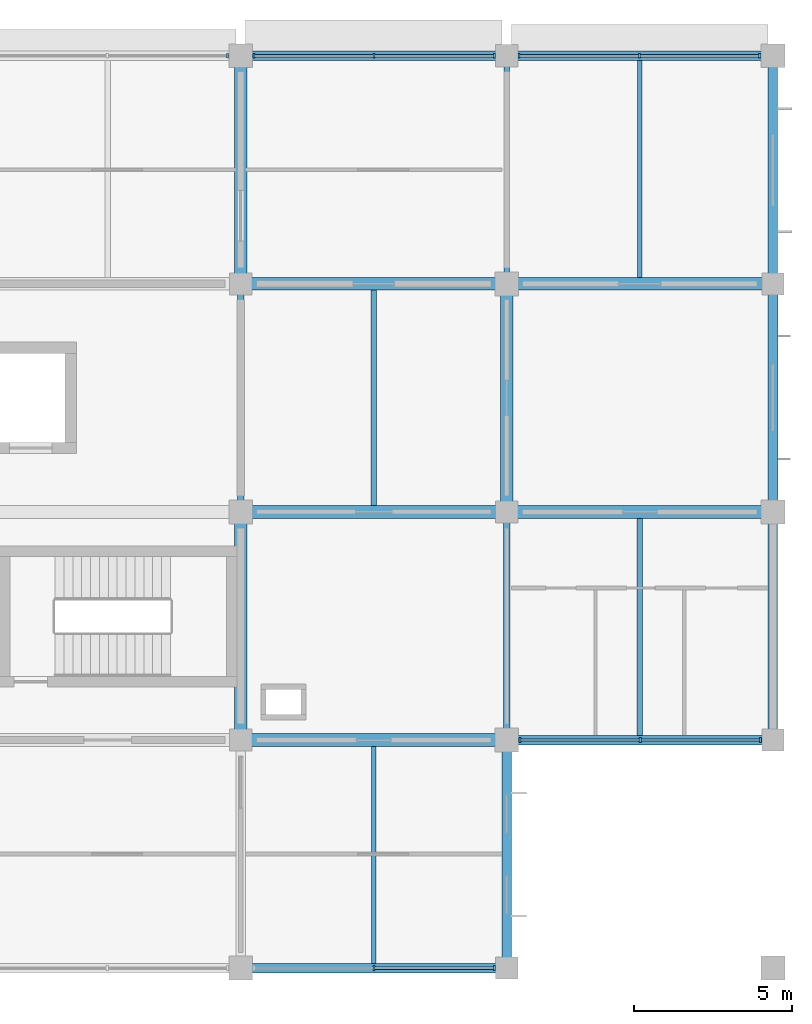
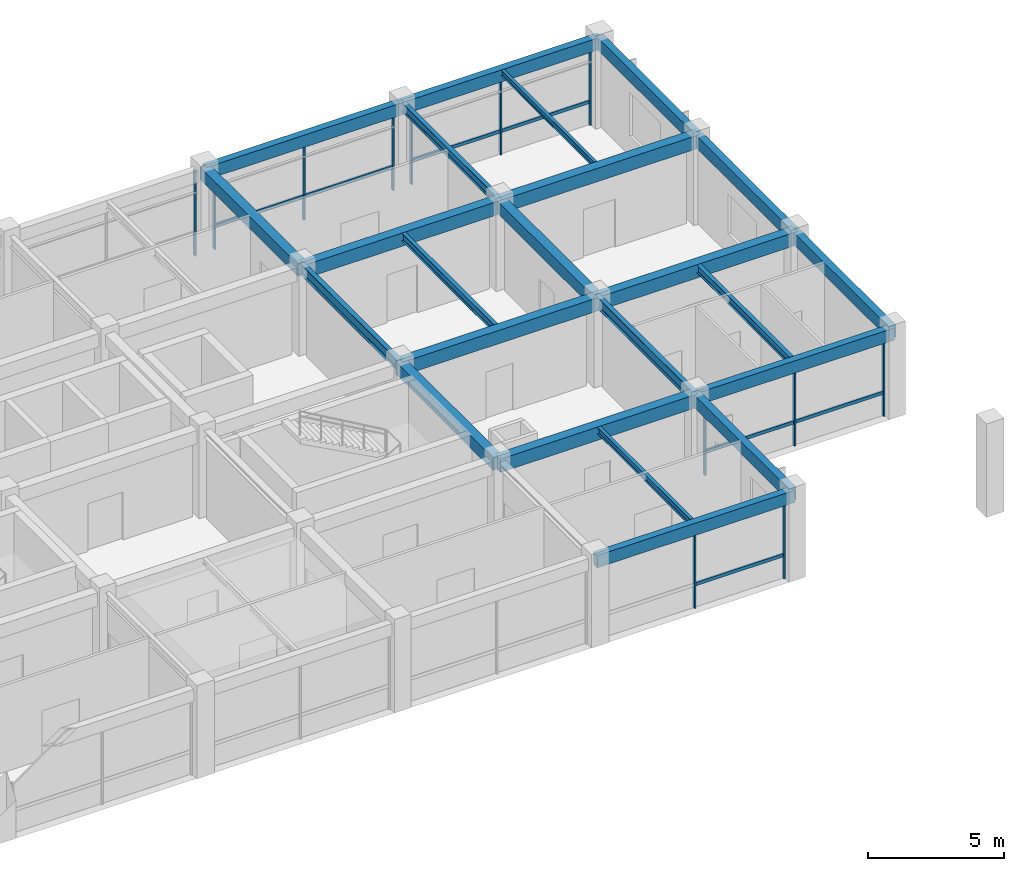
# One storey, part 6 of 13: 23 beams, 19 members, 5 elements without a shape of their own.
"""IFC4 building model written with IfcOpenShell, lengths in metres."""

from ifc_helpers import new_model, si_unit, derived_unit, direction, frame, origin, origin_2d, place, context, subcontext, project, spatial, rectangle, i_section, extrude, material, material_profile, profile_set, type_object, element, aggregate, save


model = new_model("IFC4")

# Units and contexts
model_context = context("Model", 3, precision=1e-05, world=origin(), true_north=direction((0.0, 1.0)))
body_context = subcontext(model_context, "Body", "Model", "MODEL_VIEW")
ifc_project = project(units=[si_unit("LENGTHUNIT", "METRE"), si_unit("AREAUNIT", "SQUARE_METRE"), si_unit("VOLUMEUNIT", "CUBIC_METRE"), si_unit("PLANEANGLEUNIT", "RADIAN"), si_unit("MASSUNIT", "GRAM", prefix="KILO"), derived_unit("THERMALTRANSMITTANCEUNIT", [(si_unit("MASSUNIT", "GRAM", prefix="KILO"), 1), (si_unit("TIMEUNIT", "SECOND"), -3), (si_unit("THERMODYNAMICTEMPERATUREUNIT", "KELVIN"), -1)])], contexts=[model_context])

# Site, building, storey
site_placement = place(None, origin())
site = spatial("IfcSite", under=ifc_project, at=site_placement, CompositionType="ELEMENT")
building_placement = place(site_placement, origin())
building = spatial("IfcBuilding", under=site, at=building_placement, Name="Veldstrom Oceanarium and Marine Research Institute", CompositionType="ELEMENT")
storey_placement = place(building_placement, frame((0.0, 0.0, 39.60009765625)))
storey = spatial("IfcBuildingStorey", under=building, at=storey_placement, Name="L08", CompositionType="ELEMENT", Elevation=39.60009765625)

# Curtain wall, member
ifc_material_1 = material(Name="Anodised Aluminium Framing", Category="aluminium")
curtain_wall_type = type_object("IfcCurtainWallType", Name="ARC-CW-CW04", PredefinedType="USERDEFINED", material=ifc_material_1)
curtain_wall_1_placement = place(storey_placement, origin())
curtain_wall_1 = element("IfcCurtainWall", 1, at=curtain_wall_1_placement, inside=storey, type_object=curtain_wall_type, Name="Curtain Wall CW04 CW-L08-129", ObjectType="Curtain wall", PredefinedType="USERDEFINED")
ifc_material_2 = material(Name="Anodised Aluminium Framing", Category="aluminium")
ifc_material_profile_1 = material_profile(ifc_material_2, rectangle(XDim=0.06494140625, YDim=0.14990234375, at=origin_2d()), Name="ALU-MUL-65x150")
ifc_profile_set_1 = profile_set([ifc_material_profile_1], Name="Anodised Aluminium Framing")
member_type_1 = type_object("IfcMemberType", Name="ARC-MUL-ML2", PredefinedType="MULLION", material=ifc_profile_set_1)
member_1_placement = place(storey_placement, frame((100.385009765625, 72.0, 0.0), z_axis=(0.0, 0.0, 1.0), x_axis=(1.0, 0.0, 0.0)))
member_1 = element("IfcMember", 2, at=member_1_placement, type_object=member_type_1, Name="Curtain Wall Mullion CW-L08-129-MUL-3", PredefinedType="MULLION", context=body_context, shape_type="SweptSolid", body=[
    extrude(rectangle(XDim=0.06494140625, YDim=0.14990234375, at=origin_2d()), origin(), (0.0, 0.0, 1.0), 3.849853515625),
])
aggregate(curtain_wall_1, [member_1])

# Curtain wall, members
curtain_wall_2_placement = place(storey_placement, origin())
curtain_wall_2 = element("IfcCurtainWall", 3, at=curtain_wall_2_placement, inside=storey, type_object=curtain_wall_type, Name="Curtain Wall CW04 CW-L08-130", ObjectType="Curtain wall", PredefinedType="USERDEFINED")
member_2_placement = place(storey_placement, frame((105.012451171875, 43.199951171875, 0.0), z_axis=(0.0, 0.0, 1.0), x_axis=(1.0, 0.0, 0.0)))
member_2 = element("IfcMember", 4, at=member_2_placement, type_object=member_type_1, Name="Curtain Wall Mullion CW-L08-130-MUL-2", PredefinedType="MULLION", context=body_context, shape_type="SweptSolid", body=[
    extrude(rectangle(XDim=0.06494140625, YDim=0.14990234375, at=origin_2d()), origin(), (0.0, 0.0, 1.0), 3.849853515625),
])
member_3_placement = place(storey_placement, frame((108.81005859375, 43.199951171875, 0.0), z_axis=(0.0, 0.0, 1.0), x_axis=(1.0, 0.0, 0.0)))
member_3 = element("IfcMember", 5, at=member_3_placement, type_object=member_type_1, Name="Curtain Wall Mullion CW-L08-130-MUL-3", PredefinedType="MULLION", context=body_context, shape_type="SweptSolid", body=[
    extrude(rectangle(XDim=0.06494140625, YDim=0.14990234375, at=origin_2d()), origin(), (0.0, 0.0, 1.0), 3.849853515625),
])

curtain_wall_3_placement = place(storey_placement, origin())
curtain_wall_3 = element("IfcCurtainWall", 6, at=curtain_wall_3_placement, inside=storey, type_object=curtain_wall_type, Name="Curtain Wall CW04 CW-L08-131", ObjectType="Curtain wall", PredefinedType="USERDEFINED")
member_4_placement = place(storey_placement, frame((101.215087890625, 72.0, 0.0), z_axis=(0.0, 0.0, 1.0), x_axis=(1.0, 0.0, 0.0)))
member_4 = element("IfcMember", 7, at=member_4_placement, type_object=member_type_1, Name="Curtain Wall Mullion CW-L08-131-MUL-1", PredefinedType="MULLION", context=body_context, shape_type="SweptSolid", body=[
    extrude(rectangle(XDim=0.06494140625, YDim=0.14990234375, at=origin_2d()), origin(), (0.0, 0.0, 1.0), 3.849853515625),
])
member_5_placement = place(storey_placement, frame((105.012451171875, 72.0, 0.0), z_axis=(0.0, 0.0, 1.0), x_axis=(1.0, 0.0, 0.0)))
member_5 = element("IfcMember", 8, at=member_5_placement, type_object=member_type_1, Name="Curtain Wall Mullion CW-L08-131-MUL-2", PredefinedType="MULLION", context=body_context, shape_type="SweptSolid", body=[
    extrude(rectangle(XDim=0.06494140625, YDim=0.14990234375, at=origin_2d()), origin(), (0.0, 0.0, 1.0), 3.849853515625),
])
member_6_placement = place(storey_placement, frame((108.81005859375, 72.0, 0.0), z_axis=(0.0, 0.0, 1.0), x_axis=(1.0, 0.0, 0.0)))
member_6 = element("IfcMember", 9, at=member_6_placement, type_object=member_type_1, Name="Curtain Wall Mullion CW-L08-131-MUL-3", PredefinedType="MULLION", context=body_context, shape_type="SweptSolid", body=[
    extrude(rectangle(XDim=0.06494140625, YDim=0.14990234375, at=origin_2d()), origin(), (0.0, 0.0, 1.0), 3.849853515625),
])

curtain_wall_4_placement = place(storey_placement, origin())
curtain_wall_4 = element("IfcCurtainWall", 10, at=curtain_wall_4_placement, inside=storey, type_object=curtain_wall_type, Name="Curtain Wall CW04 CW-L08-132", ObjectType="Curtain wall", PredefinedType="USERDEFINED")
member_7_placement = place(storey_placement, frame((109.614990234375, 50.39990234375, 0.0), z_axis=(0.0, 0.0, 1.0), x_axis=(1.0, 0.0, 0.0)))
member_7 = element("IfcMember", 11, at=member_7_placement, type_object=member_type_1, Name="Curtain Wall Mullion CW-L08-132-MUL-1", PredefinedType="MULLION", context=body_context, shape_type="SweptSolid", body=[
    extrude(rectangle(XDim=0.06494140625, YDim=0.14990234375, at=origin_2d()), origin(), (0.0, 0.0, 1.0), 3.849853515625),
])
member_8_placement = place(storey_placement, frame((113.41259765625, 50.39990234375, 0.0), z_axis=(0.0, 0.0, 1.0), x_axis=(1.0, 0.0, 0.0)))
member_8 = element("IfcMember", 12, at=member_8_placement, type_object=member_type_1, Name="Curtain Wall Mullion CW-L08-132-MUL-2", PredefinedType="MULLION", context=body_context, shape_type="SweptSolid", body=[
    extrude(rectangle(XDim=0.06494140625, YDim=0.14990234375, at=origin_2d()), origin(), (0.0, 0.0, 1.0), 3.849853515625),
])
member_9_placement = place(storey_placement, frame((117.2099609375, 50.39990234375, 0.0), z_axis=(0.0, 0.0, 1.0), x_axis=(1.0, 0.0, 0.0)))
member_9 = element("IfcMember", 13, at=member_9_placement, type_object=member_type_1, Name="Curtain Wall Mullion CW-L08-132-MUL-3", PredefinedType="MULLION", context=body_context, shape_type="SweptSolid", body=[
    extrude(rectangle(XDim=0.06494140625, YDim=0.14990234375, at=origin_2d()), origin(), (0.0, 0.0, 1.0), 3.849853515625),
])

curtain_wall_5_placement = place(storey_placement, origin())
curtain_wall_5 = element("IfcCurtainWall", 14, at=curtain_wall_5_placement, inside=storey, type_object=curtain_wall_type, Name="Curtain Wall CW04 CW-L08-133", ObjectType="Curtain wall", PredefinedType="USERDEFINED")
member_10_placement = place(storey_placement, frame((109.590087890625, 72.0, 0.0), z_axis=(0.0, 0.0, 1.0), x_axis=(1.0, 0.0, 0.0)))
member_10 = element("IfcMember", 15, at=member_10_placement, type_object=member_type_1, Name="Curtain Wall Mullion CW-L08-133-MUL-1", PredefinedType="MULLION", context=body_context, shape_type="SweptSolid", body=[
    extrude(rectangle(XDim=0.06494140625, YDim=0.14990234375, at=origin_2d()), origin(), (0.0, 0.0, 1.0), 3.849853515625),
])
member_11_placement = place(storey_placement, frame((113.387451171875, 72.0, 0.0), z_axis=(0.0, 0.0, 1.0), x_axis=(1.0, 0.0, 0.0)))
member_11 = element("IfcMember", 16, at=member_11_placement, type_object=member_type_1, Name="Curtain Wall Mullion CW-L08-133-MUL-2", PredefinedType="MULLION", context=body_context, shape_type="SweptSolid", body=[
    extrude(rectangle(XDim=0.06494140625, YDim=0.14990234375, at=origin_2d()), origin(), (0.0, 0.0, 1.0), 3.849853515625),
])
member_12_placement = place(storey_placement, frame((117.18505859375, 72.0, 0.0), z_axis=(0.0, 0.0, 1.0), x_axis=(1.0, 0.0, 0.0)))
member_12 = element("IfcMember", 17, at=member_12_placement, type_object=member_type_1, Name="Curtain Wall Mullion CW-L08-133-MUL-3", PredefinedType="MULLION", context=body_context, shape_type="SweptSolid", body=[
    extrude(rectangle(XDim=0.06494140625, YDim=0.14990234375, at=origin_2d()), origin(), (0.0, 0.0, 1.0), 3.849853515625),
])

# Member
ifc_material_3 = material(Name="Anodised Aluminium Framing", Category="aluminium")
ifc_material_profile_2 = material_profile(ifc_material_3, rectangle(XDim=0.074951171875, YDim=0.14990234375, at=origin_2d()), Name="ALU-TRN-75x150")
ifc_profile_set_2 = profile_set([ifc_material_profile_2], Name="Anodised Aluminium Framing")
member_type_2 = type_object("IfcMemberType", Name="ARC-TRN-TR1", PredefinedType="USERDEFINED", material=ifc_profile_set_2)
member_13_placement = place(storey_placement, frame((105.052490234375, 43.199951171875, 1.0498046875), z_axis=(1.0, 0.0, 0.0), x_axis=(0.0, 1.0, 0.0)))
member_13 = element("IfcMember", 18, at=member_13_placement, type_object=member_type_2, Name="Curtain Wall Transom CW-L08-130-TRN-2", ObjectType="Transom", PredefinedType="USERDEFINED", context=body_context, shape_type="SweptSolid", body=[
    extrude(rectangle(XDim=0.074951171875, YDim=0.14990234375, at=origin_2d()), origin(), (0.0, 0.0, 1.0), 3.717529296875),
])

aggregate(curtain_wall_2, [member_2, member_3, member_13])

member_14_placement = place(storey_placement, frame((101.2548828125, 72.0, 1.0498046875), z_axis=(1.0, 0.0, 0.0), x_axis=(0.0, 1.0, 0.0)))
member_14 = element("IfcMember", 19, at=member_14_placement, type_object=member_type_2, Name="Curtain Wall Transom CW-L08-131-TRN-1", ObjectType="Transom", PredefinedType="USERDEFINED", context=body_context, shape_type="SweptSolid", body=[
    extrude(rectangle(XDim=0.074951171875, YDim=0.14990234375, at=origin_2d()), origin(), (0.0, 0.0, 1.0), 3.717529296875),
])

member_15_placement = place(storey_placement, frame((105.052490234375, 72.0, 1.0498046875), z_axis=(1.0, 0.0, 0.0), x_axis=(0.0, 1.0, 0.0)))
member_15 = element("IfcMember", 20, at=member_15_placement, type_object=member_type_2, Name="Curtain Wall Transom CW-L08-131-TRN-2", ObjectType="Transom", PredefinedType="USERDEFINED", context=body_context, shape_type="SweptSolid", body=[
    extrude(rectangle(XDim=0.074951171875, YDim=0.14990234375, at=origin_2d()), origin(), (0.0, 0.0, 1.0), 3.717529296875),
])

aggregate(curtain_wall_3, [member_4, member_5, member_6, member_14, member_15])

member_16_placement = place(storey_placement, frame((109.655029296875, 50.39990234375, 1.0498046875), z_axis=(1.0, 0.0, 0.0), x_axis=(0.0, 1.0, 0.0)))
member_16 = element("IfcMember", 21, at=member_16_placement, type_object=member_type_2, Name="Curtain Wall Transom CW-L08-132-TRN-1", ObjectType="Transom", PredefinedType="USERDEFINED", context=body_context, shape_type="SweptSolid", body=[
    extrude(rectangle(XDim=0.074951171875, YDim=0.14990234375, at=origin_2d()), origin(), (0.0, 0.0, 1.0), 3.717529296875),
])

member_17_placement = place(storey_placement, frame((113.452392578125, 50.39990234375, 1.0498046875), z_axis=(1.0, 0.0, 0.0), x_axis=(0.0, 1.0, 0.0)))
member_17 = element("IfcMember", 22, at=member_17_placement, type_object=member_type_2, Name="Curtain Wall Transom CW-L08-132-TRN-2", ObjectType="Transom", PredefinedType="USERDEFINED", context=body_context, shape_type="SweptSolid", body=[
    extrude(rectangle(XDim=0.074951171875, YDim=0.14990234375, at=origin_2d()), origin(), (0.0, 0.0, 1.0), 3.717529296875),
])

aggregate(curtain_wall_4, [member_7, member_8, member_9, member_16, member_17])

member_18_placement = place(storey_placement, frame((109.6298828125, 72.0, 1.0498046875), z_axis=(1.0, 0.0, 0.0), x_axis=(0.0, 1.0, 0.0)))
member_18 = element("IfcMember", 23, at=member_18_placement, type_object=member_type_2, Name="Curtain Wall Transom CW-L08-133-TRN-1", ObjectType="Transom", PredefinedType="USERDEFINED", context=body_context, shape_type="SweptSolid", body=[
    extrude(rectangle(XDim=0.074951171875, YDim=0.14990234375, at=origin_2d()), origin(), (0.0, 0.0, 1.0), 3.717529296875),
])

member_19_placement = place(storey_placement, frame((113.427490234375, 72.0, 1.0498046875), z_axis=(1.0, 0.0, 0.0), x_axis=(0.0, 1.0, 0.0)))
member_19 = element("IfcMember", 24, at=member_19_placement, type_object=member_type_2, Name="Curtain Wall Transom CW-L08-133-TRN-2", ObjectType="Transom", PredefinedType="USERDEFINED", context=body_context, shape_type="SweptSolid", body=[
    extrude(rectangle(XDim=0.074951171875, YDim=0.14990234375, at=origin_2d()), origin(), (0.0, 0.0, 1.0), 3.717529296875),
])

aggregate(curtain_wall_5, [member_10, member_11, member_12, member_18, member_19])

# Beams
ifc_material_4 = material(Name="Concrete C40/50", Category="concrete")
ifc_material_profile_3 = material_profile(ifc_material_4, rectangle(XDim=0.39990234375, YDim=0.60009765625, at=origin_2d()), Name="RC-BM-400x600")
ifc_profile_set_3 = profile_set([ifc_material_profile_3], Name="Concrete C40/50")
beam_type_1 = type_object("IfcBeamType", Name="STR-BM-B06", PredefinedType="BEAM", material=ifc_profile_set_3)
for number, where, z_axis, x_axis, name in (
    (25, (100.800048828125, 50.39990234375, 3.594970703125), (1.0, 0.0, 0.0), (0.0, 1.0, 0.0), "Primary Beam B06 L08-2429"),
    (26, (100.800048828125, 57.60009765625, 3.594970703125), (1.0, 0.0, 0.0), (0.0, 1.0, 0.0), "Primary Beam B06 L08-2430"),
    (27, (100.800048828125, 64.800048828125, 3.594970703125), (1.0, 0.0, 0.0), (0.0, 1.0, 0.0), "Primary Beam B06 L08-2431"),
):
    element("IfcBeam", number, at=place(storey_placement, frame(where, z_axis=z_axis, x_axis=x_axis)), inside=storey, type_object=beam_type_1, Name=name, PredefinedType="BEAM", context=body_context, shape_type="SweptSolid", body=[
        extrude(rectangle(XDim=0.39990234375, YDim=0.60009765625, at=origin_2d()), origin(), (0.0, 0.0, 1.0), 8.39990234375),
    ])
for number, where, z_axis, x_axis, name in (
    (28, (109.199951171875, 57.60009765625, 3.594970703125), (1.0, 0.0, 0.0), (0.0, 1.0, 0.0), "Primary Beam B06 L08-2434"),
    (29, (109.199951171875, 64.800048828125, 3.594970703125), (1.0, 0.0, 0.0), (0.0, 1.0, 0.0), "Primary Beam B06 L08-2435"),
):
    element("IfcBeam", number, at=place(storey_placement, frame(where, z_axis=z_axis, x_axis=x_axis)), inside=storey, type_object=beam_type_1, Name=name, PredefinedType="BEAM", context=body_context, shape_type="SweptSolid", body=[
        extrude(rectangle(XDim=0.39990234375, YDim=0.60009765625, at=origin_2d()), origin(), (0.0, 0.0, 1.0), 8.400146484375),
    ])
ifc_material_5 = material(Name="Concrete C40/50", Category="concrete")
ifc_material_profile_4 = material_profile(ifc_material_5, rectangle(XDim=0.39990234375, YDim=0.550048828125, at=origin_2d()), Name="RC-BM-400x550")
ifc_profile_set_4 = profile_set([ifc_material_profile_4], Name="Concrete C40/50")
beam_type_2 = type_object("IfcBeamType", Name="STR-BM-B07", PredefinedType="BEAM", material=ifc_profile_set_4)
beam_1_placement = place(storey_placement, frame((100.800048828125, 50.39990234375, 3.619873046875), z_axis=(0.0, 1.0, 0.0), x_axis=(-1.0, 0.0, 0.0)))
element("IfcBeam", 30, at=beam_1_placement, inside=storey, type_object=beam_type_2, Name="Primary Beam B07 L08-2454", PredefinedType="BEAM", context=body_context, shape_type="SweptSolid", body=[
    extrude(rectangle(XDim=0.39990234375, YDim=0.550048828125, at=origin_2d()), origin(), (0.0, 0.0, 1.0), 7.2001953125),
])
for number, where, z_axis, x_axis, name in (
    (31, (100.800048828125, 64.800048828125, 3.619873046875), (0.0, 1.0, 0.0), (-1.0, 0.0, 0.0), "Primary Beam B07 L08-2456"),
    (32, (109.199951171875, 57.60009765625, 3.619873046875), (0.0, 1.0, 0.0), (-1.0, 0.0, 0.0), "Primary Beam B07 L08-2459"),
):
    element("IfcBeam", number, at=place(storey_placement, frame(where, z_axis=z_axis, x_axis=x_axis)), inside=storey, type_object=beam_type_2, Name=name, PredefinedType="BEAM", context=body_context, shape_type="SweptSolid", body=[
        extrude(rectangle(XDim=0.39990234375, YDim=0.550048828125, at=origin_2d()), origin(), (0.0, 0.0, 1.0), 7.199951171875),
    ])
ifc_material_6 = material(Name="Steel S355JR", Category="steel")
ifc_material_profile_5 = material_profile(ifc_material_6, i_section(OverallWidth=0.199951171875, OverallDepth=0.5, WebThickness=0.01025390625, FlangeThickness=0.01611328125, FilletRadius=0.02099609375, at=origin_2d()), Name="IPE 500")
ifc_profile_set_5 = profile_set([ifc_material_profile_5], Name="Steel S355JR")
beam_type_3 = type_object("IfcBeamType", Name="STR-BM-SB6", PredefinedType="BEAM", material=ifc_profile_set_5)
beam_2_placement = place(storey_placement, frame((100.800048828125, 57.60009765625, 3.64501953125), z_axis=(0.0, 1.0, 0.0), x_axis=(-1.0, 0.0, 0.0)))
element("IfcBeam", 33, at=beam_2_placement, inside=storey, type_object=beam_type_3, Name="Steel Tie Beam SB6 L08-2455", PredefinedType="BEAM", context=body_context, shape_type="SweptSolid", body=[
    extrude(i_section(OverallWidth=0.199951171875, OverallDepth=0.5, WebThickness=0.01025390625, FlangeThickness=0.01611328125, FilletRadius=0.02099609375, at=origin_2d()), origin(), (0.0, 0.0, 1.0), 7.199951171875),
])
beam_3_placement = place(storey_placement, frame((109.199951171875, 50.39990234375, 3.64501953125), z_axis=(0.0, 1.0, 0.0), x_axis=(-1.0, 0.0, 0.0)))
element("IfcBeam", 34, at=beam_3_placement, inside=storey, type_object=beam_type_3, Name="Steel Tie Beam SB6 L08-2458", PredefinedType="BEAM", context=body_context, shape_type="SweptSolid", body=[
    extrude(i_section(OverallWidth=0.199951171875, OverallDepth=0.5, WebThickness=0.01025390625, FlangeThickness=0.01611328125, FilletRadius=0.02099609375, at=origin_2d()), origin(), (0.0, 0.0, 1.0), 7.2001953125),
])
ifc_material_7 = material(Name="Steel S355JR", Category="steel")
ifc_material_profile_6 = material_profile(ifc_material_7, i_section(OverallWidth=0.179931640625, OverallDepth=0.39990234375, WebThickness=0.008544921875, FlangeThickness=0.013427734375, FilletRadius=0.02099609375, at=origin_2d()), Name="IPE 400")
ifc_profile_set_6 = profile_set([ifc_material_profile_6], Name="Steel S355JR")
beam_type_4 = type_object("IfcBeamType", Name="STR-BM-SB8", PredefinedType="BEAM", material=ifc_profile_set_6)
beam_4_placement = place(storey_placement, frame((109.199951171875, 64.800048828125, 3.69482421875), z_axis=(0.0, 1.0, 0.0), x_axis=(-1.0, 0.0, 0.0)))
element("IfcBeam", 35, at=beam_4_placement, inside=storey, type_object=beam_type_4, Name="Steel Tie Beam SB8 L08-2460", PredefinedType="BEAM", context=body_context, shape_type="SweptSolid", body=[
    extrude(i_section(OverallWidth=0.179931640625, OverallDepth=0.39990234375, WebThickness=0.008544921875, FlangeThickness=0.013427734375, FilletRadius=0.02099609375, at=origin_2d()), origin(), (0.0, 0.0, 1.0), 7.199951171875),
])
ifc_material_8 = material(Name="Steel S355JR", Category="steel")
ifc_material_profile_7 = material_profile(ifc_material_8, i_section(OverallWidth=0.169921875, OverallDepth=0.360107421875, WebThickness=0.008056640625, FlangeThickness=0.0126953125, FilletRadius=0.01806640625, at=origin_2d()), Name="IPE 360")
ifc_profile_set_7 = profile_set([ifc_material_profile_7], Name="Steel S355JR")
beam_type_5 = type_object("IfcBeamType", Name="STR-JST-SJ1", PredefinedType="JOIST", material=ifc_profile_set_7)
beam_5_placement = place(storey_placement, frame((105.0, 57.800048828125, 3.71484375), z_axis=(0.0, 1.0, 0.0), x_axis=(-1.0, 0.0, 0.0)))
element("IfcBeam", 36, at=beam_5_placement, inside=storey, type_object=beam_type_5, Name="Secondary Joist SJ1 L08-2470", PredefinedType="JOIST", context=body_context, shape_type="SweptSolid", body=[
    extrude(i_section(OverallWidth=0.169921875, OverallDepth=0.360107421875, WebThickness=0.008056640625, FlangeThickness=0.0126953125, FilletRadius=0.01806640625, at=origin_2d()), origin(), (0.0, 0.0, 1.0), 6.800048828125),
])
beam_6_placement = place(storey_placement, frame((113.39990234375, 50.550048828125, 3.71484375), z_axis=(0.0, 1.0, 0.0), x_axis=(-1.0, 0.0, 0.0)))
element("IfcBeam", 37, at=beam_6_placement, inside=storey, type_object=beam_type_5, Name="Secondary Joist SJ1 L08-2471", PredefinedType="JOIST", context=body_context, shape_type="SweptSolid", body=[
    extrude(i_section(OverallWidth=0.169921875, OverallDepth=0.360107421875, WebThickness=0.008056640625, FlangeThickness=0.0126953125, FilletRadius=0.01806640625, at=origin_2d()), origin(), (0.0, 0.0, 1.0), 6.849853515625),
])
ifc_material_9 = material(Name="Steel S355JR", Category="steel")
ifc_material_profile_8 = material_profile(ifc_material_9, i_section(OverallWidth=0.14990234375, OverallDepth=0.300048828125, WebThickness=0.007080078125, FlangeThickness=0.0107421875, FilletRadius=0.014892578125, at=origin_2d()), Name="IPE 300")
ifc_profile_set_8 = profile_set([ifc_material_profile_8], Name="Steel S355JR")
beam_type_6 = type_object("IfcBeamType", Name="STR-JST-SJ2", PredefinedType="JOIST", material=ifc_profile_set_8)
beam_7_placement = place(storey_placement, frame((105.0, 43.35009765625, 3.744873046875), z_axis=(0.0, 1.0, 0.0), x_axis=(-1.0, 0.0, 0.0)))
element("IfcBeam", 38, at=beam_7_placement, inside=storey, type_object=beam_type_6, Name="Secondary Joist SJ2 L08-2469", PredefinedType="JOIST", context=body_context, shape_type="SweptSolid", body=[
    extrude(i_section(OverallWidth=0.14990234375, OverallDepth=0.300048828125, WebThickness=0.007080078125, FlangeThickness=0.0107421875, FilletRadius=0.014892578125, at=origin_2d()), origin(), (0.0, 0.0, 1.0), 6.849853515625),
])
ifc_material_10 = material(Name="Steel S355JR", Category="steel")
ifc_material_profile_9 = material_profile(ifc_material_10, i_section(OverallWidth=0.135009765625, OverallDepth=0.27001953125, WebThickness=0.006591796875, FlangeThickness=0.01025390625, FilletRadius=0.014892578125, at=origin_2d()), Name="IPE 270")
ifc_profile_set_9 = profile_set([ifc_material_profile_9], Name="Steel S355JR")
beam_type_7 = type_object("IfcBeamType", Name="STR-JST-SJ3", PredefinedType="JOIST", material=ifc_profile_set_9)
beam_8_placement = place(storey_placement, frame((113.39990234375, 65.0, 3.760009765625), z_axis=(0.0, 1.0, 0.0), x_axis=(-1.0, 0.0, 0.0)))
element("IfcBeam", 39, at=beam_8_placement, inside=storey, type_object=beam_type_7, Name="Secondary Joist SJ3 L08-2472", PredefinedType="JOIST", context=body_context, shape_type="SweptSolid", body=[
    extrude(i_section(OverallWidth=0.135009765625, OverallDepth=0.27001953125, WebThickness=0.006591796875, FlangeThickness=0.01025390625, FilletRadius=0.014892578125, at=origin_2d()), origin(), (0.0, 0.0, 1.0), 6.85009765625),
])
ifc_material_11 = material(Name="Concrete C40/50", Category="concrete")
ifc_material_profile_10 = material_profile(ifc_material_11, rectangle(XDim=0.300048828125, YDim=0.550048828125, at=origin_2d()), Name="RC-SPN-300x550")
ifc_profile_set_10 = profile_set([ifc_material_profile_10], Name="Concrete C40/50")
beam_type_8 = type_object("IfcBeamType", Name="STR-SPN-SP2", PredefinedType="SPANDREL", material=ifc_profile_set_10)
for number, where, z_axis, x_axis, name in (
    (40, (100.800048828125, 43.199951171875, 3.619873046875), (1.0, 0.0, 0.0), (0.0, 1.0, 0.0), "Perimeter Spandrel SPB2 L08-2428"),
    (41, (100.800048828125, 72.0, 3.619873046875), (1.0, 0.0, 0.0), (0.0, 1.0, 0.0), "Perimeter Spandrel SPB2 L08-2432"),
):
    element("IfcBeam", number, at=place(storey_placement, frame(where, z_axis=z_axis, x_axis=x_axis)), inside=storey, type_object=beam_type_8, Name=name, PredefinedType="SPANDREL", context=body_context, shape_type="SweptSolid", body=[
        extrude(rectangle(XDim=0.300048828125, YDim=0.550048828125, at=origin_2d()), origin(), (0.0, 0.0, 1.0), 8.39990234375),
    ])
for number, where, z_axis, x_axis, name in (
    (42, (109.199951171875, 50.39990234375, 3.619873046875), (1.0, 0.0, 0.0), (0.0, 1.0, 0.0), "Perimeter Spandrel SPB2 L08-2433"),
    (43, (109.199951171875, 72.0, 3.619873046875), (1.0, 0.0, 0.0), (0.0, 1.0, 0.0), "Perimeter Spandrel SPB2 L08-2436"),
):
    element("IfcBeam", number, at=place(storey_placement, frame(where, z_axis=z_axis, x_axis=x_axis)), inside=storey, type_object=beam_type_8, Name=name, PredefinedType="SPANDREL", context=body_context, shape_type="SweptSolid", body=[
        extrude(rectangle(XDim=0.300048828125, YDim=0.550048828125, at=origin_2d()), origin(), (0.0, 0.0, 1.0), 8.400146484375),
    ])
beam_9_placement = place(storey_placement, frame((109.199951171875, 43.199951171875, 3.619873046875), z_axis=(0.0, 1.0, 0.0), x_axis=(-1.0, 0.0, 0.0)))
element("IfcBeam", 44, at=beam_9_placement, inside=storey, type_object=beam_type_8, Name="Perimeter Spandrel SPB2 L08-2457", PredefinedType="SPANDREL", context=body_context, shape_type="SweptSolid", body=[
    extrude(rectangle(XDim=0.300048828125, YDim=0.550048828125, at=origin_2d()), origin(), (0.0, 0.0, 1.0), 7.199951171875),
])
beam_10_placement = place(storey_placement, frame((117.60009765625, 50.39990234375, 3.619873046875), z_axis=(0.0, 1.0, 0.0), x_axis=(-1.0, 0.0, 0.0)))
element("IfcBeam", 45, at=beam_10_placement, inside=storey, type_object=beam_type_8, Name="Perimeter Spandrel SPB2 L08-2461", PredefinedType="SPANDREL", context=body_context, shape_type="SweptSolid", body=[
    extrude(rectangle(XDim=0.300048828125, YDim=0.550048828125, at=origin_2d()), origin(), (0.0, 0.0, 1.0), 7.2001953125),
])
for number, where, z_axis, x_axis, name in (
    (46, (117.60009765625, 57.60009765625, 3.619873046875), (0.0, 1.0, 0.0), (-1.0, 0.0, 0.0), "Perimeter Spandrel SPB2 L08-2462"),
    (47, (117.60009765625, 64.800048828125, 3.619873046875), (0.0, 1.0, 0.0), (-1.0, 0.0, 0.0), "Perimeter Spandrel SPB2 L08-2463"),
):
    element("IfcBeam", number, at=place(storey_placement, frame(where, z_axis=z_axis, x_axis=x_axis)), inside=storey, type_object=beam_type_8, Name=name, PredefinedType="SPANDREL", context=body_context, shape_type="SweptSolid", body=[
        extrude(rectangle(XDim=0.300048828125, YDim=0.550048828125, at=origin_2d()), origin(), (0.0, 0.0, 1.0), 7.199951171875),
    ])

save(model, "model.ifc")
